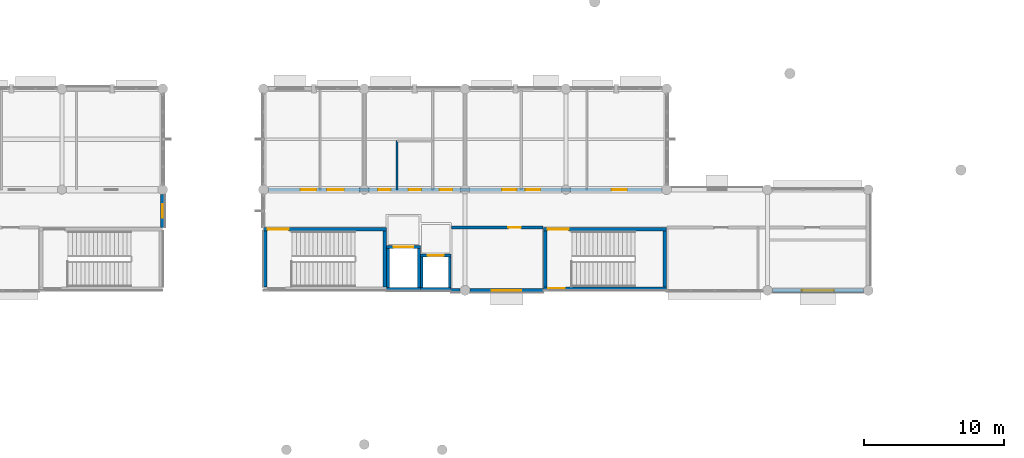
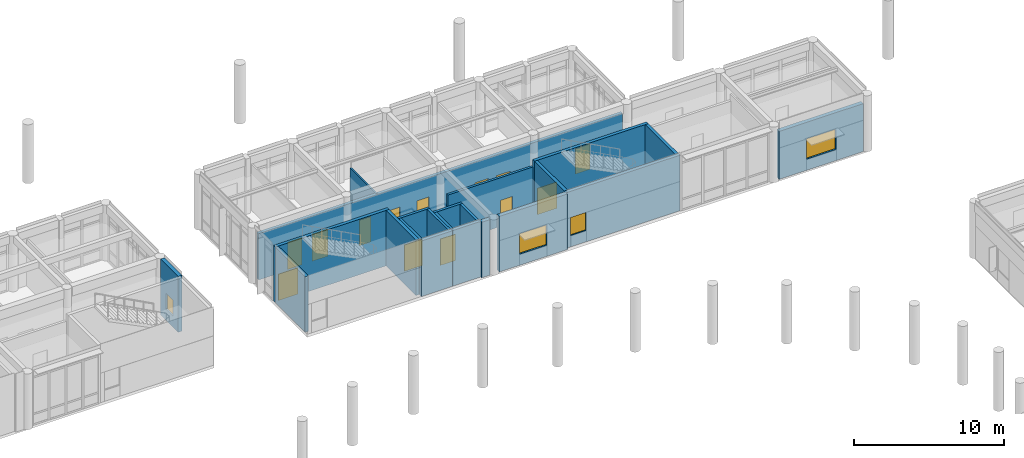
# One storey, part 51 of 92: 22 walls, 13 doors, 4 windows, 17 openings.
"""IFC4 building model written with IfcOpenShell, lengths in metres."""

from ifc_helpers import new_model, si_unit, direction, frame, frame_2d, origin, place, context, subcontext, project, spatial, rectangle, extrude, material, layer, layer_set, type_object, element, fill, save


model = new_model("IFC4")

# Units and contexts
model_context = context("Model", 3, precision=1e-05, world=origin(), true_north=direction((0.0, 1.0)))
body_context = subcontext(model_context, "Body", "Model", "MODEL_VIEW")
ifc_project = project(units=[si_unit("LENGTHUNIT", "METRE"), si_unit("AREAUNIT", "SQUARE_METRE"), si_unit("VOLUMEUNIT", "CUBIC_METRE"), si_unit("PLANEANGLEUNIT", "RADIAN"), si_unit("MASSUNIT", "GRAM", prefix="KILO")], contexts=[model_context])

# Site, building, storey
site_placement = place(None, origin())
site = spatial("IfcSite", under=ifc_project, at=site_placement, CompositionType="ELEMENT")
building_placement = place(site_placement, origin())
building = spatial("IfcBuilding", under=site, at=building_placement, Name="Namkhue Oval Health Centre", CompositionType="ELEMENT")
storey_placement = place(building_placement, frame((0.0, 0.0, 4.800048828125)))
storey = spatial("IfcBuildingStorey", under=building, at=storey_placement, Name="L01", CompositionType="ELEMENT", Elevation=4.800048828125)

# Wall
ifc_material_1 = material(Name="Autoclaved aerated concrete blockwork M7.5", Category="masonry")
ifc_layer_1 = layer(ifc_material_1, 0.2900390625)
ifc_layer_set_1 = layer_set([ifc_layer_1], Name="Autoclaved aerated concrete blockwork M7.5")
wall_type_1 = type_object("IfcWallType", Name="EXTERIOR ENVELOPE WALL 290", PredefinedType="STANDARD", material=ifc_layer_set_1)
wall_1_placement = place(storey_placement, frame((107.001953125, 90.0, 0.0), z_axis=(0.0, 0.0, 1.0), x_axis=(1.0, 0.0, 0.0)))
element("IfcWall", 1, at=wall_1_placement, inside=storey, type_object=wall_type_1, Name="Volume V3 L01 Exterior Envelope Wall 60", PredefinedType="STANDARD", context=body_context, shape_type="SweptSolid", body=[
    extrude(rectangle(XDim=0.653076171875, YDim=0.2900390625, at=frame_2d((0.32666015625, 0.0))), origin(), (0.0, 0.0, 1.0), 4.530029296875),
])

# Wall, opening, window
ifc_layer_2 = layer(ifc_material_1, 0.300048828125)
ifc_layer_set_2 = layer_set([ifc_layer_2], Name="Autoclaved aerated concrete blockwork M7.5")
wall_type_2 = type_object("IfcWallType", Name="EXTERIOR ENVELOPE WALL 300", PredefinedType="STANDARD", material=ifc_layer_set_2)
wall_2_placement = place(storey_placement, frame((86.39990234375, 94.501953125, 0.0), z_axis=(0.0, 0.0, 1.0), x_axis=(0.0, 1.0, 0.0)))
wall_2 = element("IfcWall", 2, at=wall_2_placement, inside=storey, type_object=wall_type_2, Name="Volume V2 L01 Exterior Envelope Wall 29", PredefinedType="STANDARD", context=body_context, shape_type="SweptSolid", body=[
    extrude(rectangle(XDim=2.35302734375, YDim=0.300048828125, at=frame_2d((1.176513671875, 0.0))), origin(), (0.0, 0.0, 1.0), 4.554931640625),
])
opening_1_placement = place(wall_2_placement, frame((0.701416015625, 0.0, 0.89990234375)))
opening_1 = element("IfcOpeningElement", 3, at=opening_1_placement, cuts=wall_2, Name="Opening WN-01", PredefinedType="OPENING", context=body_context, shape_type="SweptSolid", body=[
    extrude(rectangle(XDim=0.949951171875, YDim=1.300048828125, at=frame_2d((0.47509765625, 0.64990234375))), frame((0.0, 0.159912109375, 0.0), z_axis=(0.0, -1.0, 0.0), x_axis=(1.0, 0.0, 0.0)), (0.0, 0.0, 1.0), 0.320068359375),
])
ifc_material_2 = material(Name="Thermally broken low-E laminated double glazing", Category="glass")
window_type_1 = type_object("IfcWindowType", Name="EXTERIOR WINDOW 950X1300", PartitioningType="SINGLE_PANEL", PredefinedType="WINDOW", material=ifc_material_2)
window_1_placement = place(opening_1_placement, origin())
window_1 = element("IfcWindow", 4, at=window_1_placement, inside=storey, type_object=window_type_1, Name="Volume V2 L01 Exterior Window 19", OverallHeight=1.300048828125, OverallWidth=0.949951171875, PartitioningType="SINGLE_PANEL", PredefinedType="WINDOW", context=body_context, shape_type="SweptSolid", body=[
    extrude(rectangle(XDim=0.949951171875, YDim=1.300048828125, at=frame_2d((0.47509765625, 0.64990234375))), frame((0.0, 0.030029296875, 0.0), z_axis=(0.0, -1.0, 0.0), x_axis=(1.0, 0.0, 0.0)), (0.0, 0.0, 1.0), 0.06005859375),
])
fill(opening_1, window_1)

wall_3_placement = place(storey_placement, frame((108.344970703125, 90.0, 0.0), z_axis=(0.0, 0.0, 1.0), x_axis=(1.0, 0.0, 0.0)))
wall_3 = element("IfcWall", 5, at=wall_3_placement, inside=storey, type_object=wall_type_2, Name="Volume V3 L01 Exterior Envelope Wall 61", PredefinedType="STANDARD", context=body_context, shape_type="SweptSolid", body=[
    extrude(rectangle(XDim=5.2529296875, YDim=0.300048828125, at=frame_2d((2.62646484375, 0.0))), origin(), (0.0, 0.0, 1.0), 4.530029296875),
])
opening_2_placement = place(wall_3_placement, frame((1.576416015625, 0.0, 0.89990234375)))
opening_2 = element("IfcOpeningElement", 6, at=opening_2_placement, cuts=wall_3, Name="Opening WN-38", PredefinedType="OPENING", context=body_context, shape_type="SweptSolid", body=[
    extrude(rectangle(XDim=2.10009765625, YDim=1.659912109375, at=frame_2d((1.050048828125, 0.830078125))), frame((0.0, 0.159912109375, 0.0), z_axis=(0.0, -1.0, 0.0), x_axis=(1.0, 0.0, 0.0)), (0.0, 0.0, 1.0), 0.320068359375),
])
window_type_2 = type_object("IfcWindowType", Name="EXTERIOR WINDOW 2100X1660", PartitioningType="SINGLE_PANEL", PredefinedType="WINDOW", material=ifc_material_2)
window_2_placement = place(opening_2_placement, origin())
window_2 = element("IfcWindow", 7, at=window_2_placement, inside=storey, type_object=window_type_2, Name="Volume V3 L01 Exterior Window 38", OverallHeight=1.659912109375, OverallWidth=2.10009765625, PartitioningType="SINGLE_PANEL", PredefinedType="WINDOW", context=body_context, shape_type="SweptSolid", body=[
    extrude(rectangle(XDim=2.10009765625, YDim=1.659912109375, at=frame_2d((1.050048828125, 0.830078125))), frame((0.0, 0.030029296875, 0.0), z_axis=(0.0, -1.0, 0.0), x_axis=(1.0, 0.0, 0.0)), (0.0, 0.0, 1.0), 0.06005859375),
])
fill(opening_2, window_2)

ifc_layer_3 = layer(ifc_material_1, 0.31005859375)
ifc_layer_set_3 = layer_set([ifc_layer_3], Name="Autoclaved aerated concrete blockwork M7.5")
wall_type_3 = type_object("IfcWallType", Name="EXTERIOR ENVELOPE WALL 310", PredefinedType="STANDARD", material=ifc_layer_set_3)
wall_4_placement = place(storey_placement, frame((129.945068359375, 90.0, 0.0), z_axis=(0.0, 0.0, 1.0), x_axis=(1.0, 0.0, 0.0)))
wall_4 = element("IfcWall", 8, at=wall_4_placement, inside=storey, type_object=wall_type_3, Name="Volume V3 L01 Exterior Envelope Wall 62", PredefinedType="STANDARD", context=body_context, shape_type="SweptSolid", body=[
    extrude(rectangle(XDim=6.510009765625, YDim=0.31005859375, at=frame_2d((3.2548828125, 0.0))), origin(), (0.0, 0.0, 1.0), 3.911865234375),
])
opening_3_placement = place(wall_4_placement, frame((2.10498046875, 0.0, 0.89990234375)))
opening_3 = element("IfcOpeningElement", 9, at=opening_3_placement, cuts=wall_4, Name="Opening WN-39", PredefinedType="OPENING", context=body_context, shape_type="SweptSolid", body=[
    extrude(rectangle(XDim=2.300048828125, YDim=1.659912109375, at=frame_2d((1.14990234375, 0.830078125))), frame((0.0, 0.1650390625, 0.0), z_axis=(0.0, -1.0, 0.0), x_axis=(1.0, 0.0, 0.0)), (0.0, 0.0, 1.0), 0.330078125),
])
window_type_3 = type_object("IfcWindowType", Name="EXTERIOR WINDOW 2300X1660", PartitioningType="SINGLE_PANEL", PredefinedType="WINDOW", material=ifc_material_2)
window_3_placement = place(opening_3_placement, origin())
window_3 = element("IfcWindow", 10, at=window_3_placement, inside=storey, type_object=window_type_3, Name="Volume V3 L01 Exterior Window 39", OverallHeight=1.659912109375, OverallWidth=2.300048828125, PartitioningType="SINGLE_PANEL", PredefinedType="WINDOW", context=body_context, shape_type="SweptSolid", body=[
    extrude(rectangle(XDim=2.300048828125, YDim=1.659912109375, at=frame_2d((1.14990234375, 0.830078125))), frame((0.0, 0.030029296875, 0.0), z_axis=(0.0, -1.0, 0.0), x_axis=(1.0, 0.0, 0.0)), (0.0, 0.0, 1.0), 0.06005859375),
])
fill(opening_3, window_3)

# Wall, opening, door
ifc_material_3 = material(Name="Gypsum plasterboard acoustic partition", Category="gypsum")
ifc_layer_4 = layer(ifc_material_3, 0.18505859375)
ifc_layer_set_4 = layer_set([ifc_layer_4], Name="Gypsum plasterboard acoustic partition")
wall_type_4 = type_object("IfcWallType", Name="FIRE PARTITION WALL 185", PredefinedType="PARTITIONING", material=ifc_layer_set_4)
wall_5_placement = place(storey_placement, frame((107.02001953125, 94.5, 0.0), z_axis=(0.0, 0.0, 1.0), x_axis=(1.0, 0.0, 0.0)))
wall_5 = element("IfcWall", 11, at=wall_5_placement, inside=storey, type_object=wall_type_4, Name="Volume V3 L01 Clinical Partition Wall 121", PredefinedType="PARTITIONING", context=body_context, shape_type="SweptSolid", body=[
    extrude(rectangle(XDim=6.56005859375, YDim=0.18505859375, at=frame_2d((3.280029296875, 0.0))), origin(), (0.0, 0.0, 1.0), 3.97998046875),
])
opening_4_placement = place(wall_5_placement, frame((4.070068359375, 0.0, 0.0)))
opening_4 = element("IfcOpeningElement", 12, at=opening_4_placement, cuts=wall_5, Name="Opening CD-07", PredefinedType="OPENING", context=body_context, shape_type="SweptSolid", body=[
    extrude(rectangle(XDim=0.89990234375, YDim=2.1298828125, at=frame_2d((0.449951171875, 1.06494140625))), frame((0.0, 0.1025390625, 0.0), z_axis=(0.0, -1.0, 0.0), x_axis=(1.0, 0.0, 0.0)), (0.0, 0.0, 1.0), 0.205078125),
])
ifc_material_4 = material(Name="High-pressure laminate timber clinical door", Category="wood")
door_type_1 = type_object("IfcDoorType", Name="CLINICAL DOOR 900X2130", OperationType="NOTDEFINED", PredefinedType="DOOR", material=ifc_material_4)
door_1_placement = place(opening_4_placement, frame((0.89990234375, 0.0, 0.0), z_axis=(0.0, 0.0, 1.0), x_axis=(-1.0, 0.0, 0.0)))
door_1 = element("IfcDoor", 13, at=door_1_placement, inside=storey, type_object=door_type_1, Name="Volume V3 L01 Colposcopy Procedure Room Door 101", OperationType="SINGLE_SWING_LEFT", OverallHeight=2.1298828125, OverallWidth=0.89990234375, PredefinedType="DOOR", context=body_context, shape_type="SweptSolid", body=[
    extrude(rectangle(XDim=0.89990234375, YDim=2.1298828125, at=frame_2d((0.449951171875, 1.06494140625))), frame((0.0, 0.02490234375, 0.0), z_axis=(0.0, -1.0, 0.0), x_axis=(1.0, 0.0, 0.0)), (0.0, 0.0, 1.0), 0.050048828125),
])
fill(opening_4, door_1)

# Wall, openings, doors
ifc_material_5 = material(Name="Lead-lined barium plasterboard radiation partition", Category="gypsum")
ifc_layer_5 = layer(ifc_material_5, 0.235107421875)
ifc_layer_set_5 = layer_set([ifc_layer_5], Name="Lead-lined barium plasterboard radiation partition")
wall_type_5 = type_object("IfcWallType", Name="FIRE PARTITION WALL 235", PredefinedType="PARTITIONING", material=ifc_layer_set_5)
wall_6_placement = place(storey_placement, frame((93.949951171875, 97.199951171875, 0.0), z_axis=(0.0, 0.0, 1.0), x_axis=(1.0, 0.0, 0.0)))
wall_6 = element("IfcWall", 14, at=wall_6_placement, inside=storey, type_object=wall_type_5, Name="Volume V3 L01 Clinical Partition Wall 112", PredefinedType="PARTITIONING", context=body_context, shape_type="SweptSolid", body=[
    extrude(rectangle(XDim=28.10009765625, YDim=0.235107421875, at=frame_2d((14.050048828125, 0.0))), origin(), (0.0, 0.0, 1.0), 3.780029296875),
])
opening_5_placement = place(wall_6_placement, frame((2.300048828125, 0.0, 0.0)))
opening_5 = element("IfcOpeningElement", 15, at=opening_5_placement, cuts=wall_6, Name="Opening CD-21", PredefinedType="OPENING", context=body_context, shape_type="SweptSolid", body=[
    extrude(rectangle(XDim=1.1201171875, YDim=2.22998046875, at=frame_2d((0.56005859375, 1.114990234375))), frame((0.0, 0.12744140625, 0.0), z_axis=(0.0, -1.0, 0.0), x_axis=(1.0, 0.0, 0.0)), (0.0, 0.0, 1.0), 0.255126953125),
])
opening_6_placement = place(wall_6_placement, frame((4.18994140625, 0.0, 0.0)))
opening_6 = element("IfcOpeningElement", 16, at=opening_6_placement, cuts=wall_6, Name="Opening CD-22", PredefinedType="OPENING", context=body_context, shape_type="SweptSolid", body=[
    extrude(rectangle(XDim=1.199951171875, YDim=2.22998046875, at=frame_2d((0.60009765625, 1.114990234375))), frame((0.0, 0.12744140625, 0.0), z_axis=(0.0, -1.0, 0.0), x_axis=(1.0, 0.0, 0.0)), (0.0, 0.0, 1.0), 0.255126953125),
])
opening_7_placement = place(wall_6_placement, frame((7.840087890625, 0.0, 0.0)))
opening_7 = element("IfcOpeningElement", 17, at=opening_7_placement, cuts=wall_6, Name="Opening CD-01", PredefinedType="OPENING", context=body_context, shape_type="SweptSolid", body=[
    extrude(rectangle(XDim=0.89990234375, YDim=2.080078125, at=frame_2d((0.449951171875, 1.0400390625))), frame((0.0, 0.12744140625, 0.0), z_axis=(0.0, -1.0, 0.0), x_axis=(1.0, 0.0, 0.0)), (0.0, 0.0, 1.0), 0.255126953125),
])
opening_8_placement = place(wall_6_placement, frame((10.010009765625, 0.0, 0.0)))
opening_8 = element("IfcOpeningElement", 18, at=opening_8_placement, cuts=wall_6, Name="Opening CD-07", PredefinedType="OPENING", context=body_context, shape_type="SweptSolid", body=[
    extrude(rectangle(XDim=0.89990234375, YDim=2.1298828125, at=frame_2d((0.449951171875, 1.06494140625))), frame((0.0, 0.12744140625, 0.0), z_axis=(0.0, -1.0, 0.0), x_axis=(1.0, 0.0, 0.0)), (0.0, 0.0, 1.0), 0.255126953125),
])
opening_9_placement = place(wall_6_placement, frame((12.22998046875, 0.0, 0.0)))
opening_9 = element("IfcOpeningElement", 19, at=opening_9_placement, cuts=wall_6, Name="Opening CD-13", PredefinedType="OPENING", context=body_context, shape_type="SweptSolid", body=[
    extrude(rectangle(XDim=0.919921875, YDim=2.179931640625, at=frame_2d((0.4599609375, 1.08984375))), frame((0.0, 0.12744140625, 0.0), z_axis=(0.0, -1.0, 0.0), x_axis=(1.0, 0.0, 0.0)), (0.0, 0.0, 1.0), 0.255126953125),
])
opening_10_placement = place(wall_6_placement, frame((16.705078125, 0.0, 0.0)))
opening_10 = element("IfcOpeningElement", 20, at=opening_10_placement, cuts=wall_6, Name="Opening CD-04", PredefinedType="OPENING", context=body_context, shape_type="SweptSolid", body=[
    extrude(rectangle(XDim=1.02001953125, YDim=2.080078125, at=frame_2d((0.510009765625, 1.0400390625))), frame((0.0, 0.12744140625, 0.0), z_axis=(0.0, -1.0, 0.0), x_axis=(1.0, 0.0, 0.0)), (0.0, 0.0, 1.0), 0.255126953125),
])
opening_11_placement = place(wall_6_placement, frame((18.364990234375, 0.0, 0.0)))
opening_11 = element("IfcOpeningElement", 21, at=opening_11_placement, cuts=wall_6, Name="Opening CD-05", PredefinedType="OPENING", context=body_context, shape_type="SweptSolid", body=[
    extrude(rectangle(XDim=1.06005859375, YDim=2.080078125, at=frame_2d((0.530029296875, 1.0400390625))), frame((0.0, 0.12744140625, 0.0), z_axis=(0.0, -1.0, 0.0), x_axis=(1.0, 0.0, 0.0)), (0.0, 0.0, 1.0), 0.255126953125),
])
opening_12_placement = place(wall_6_placement, frame((24.512939453125, 0.0, 0.0)))
opening_12 = element("IfcOpeningElement", 22, at=opening_12_placement, cuts=wall_6, Name="Opening CD-06", PredefinedType="OPENING", context=body_context, shape_type="SweptSolid", body=[
    extrude(rectangle(XDim=1.10009765625, YDim=2.080078125, at=frame_2d((0.550048828125, 1.0400390625))), frame((0.0, 0.12744140625, 0.0), z_axis=(0.0, -1.0, 0.0), x_axis=(1.0, 0.0, 0.0)), (0.0, 0.0, 1.0), 0.255126953125),
])
door_type_2 = type_object("IfcDoorType", Name="CLINICAL DOOR 1020X2080", OperationType="NOTDEFINED", PredefinedType="DOOR", material=ifc_material_4)
door_2_placement = place(opening_10_placement, origin())
door_2 = element("IfcDoor", 23, at=door_2_placement, inside=storey, type_object=door_type_2, Name="Volume V3 L01 Prenatal Ultrasound Clinic Door 98", OperationType="SINGLE_SWING_RIGHT", OverallHeight=2.080078125, OverallWidth=1.02001953125, PredefinedType="DOOR", context=body_context, shape_type="SweptSolid", body=[
    extrude(rectangle(XDim=1.02001953125, YDim=2.080078125, at=frame_2d((0.510009765625, 1.0400390625))), frame((0.0, 0.02490234375, 0.0), z_axis=(0.0, -1.0, 0.0), x_axis=(1.0, 0.0, 0.0)), (0.0, 0.0, 1.0), 0.050048828125),
])
fill(opening_10, door_2)
door_type_3 = type_object("IfcDoorType", Name="CLINICAL DOOR 1060X2080", OperationType="NOTDEFINED", PredefinedType="DOOR", material=ifc_material_4)
door_3_placement = place(opening_11_placement, origin())
door_3 = element("IfcDoor", 24, at=door_3_placement, inside=storey, type_object=door_type_3, Name="Volume V3 L01 ENT Minor Procedure Room Door 99", OperationType="SINGLE_SWING_LEFT", OverallHeight=2.080078125, OverallWidth=1.06005859375, PredefinedType="DOOR", context=body_context, shape_type="SweptSolid", body=[
    extrude(rectangle(XDim=1.06005859375, YDim=2.080078125, at=frame_2d((0.530029296875, 1.0400390625))), frame((0.0, 0.02490234375, 0.0), z_axis=(0.0, -1.0, 0.0), x_axis=(1.0, 0.0, 0.0)), (0.0, 0.0, 1.0), 0.050048828125),
])
fill(opening_11, door_3)
door_type_4 = type_object("IfcDoorType", Name="CLINICAL DOOR 1100X2080", OperationType="NOTDEFINED", PredefinedType="DOOR", material=ifc_material_4)
door_4_placement = place(opening_12_placement, origin())
door_4 = element("IfcDoor", 25, at=door_4_placement, inside=storey, type_object=door_type_4, Name="Volume V3 L01 Neurology Consultation Room Door 100", OperationType="SINGLE_SWING_RIGHT", OverallHeight=2.080078125, OverallWidth=1.10009765625, PredefinedType="DOOR", context=body_context, shape_type="SweptSolid", body=[
    extrude(rectangle(XDim=1.10009765625, YDim=2.080078125, at=frame_2d((0.550048828125, 1.0400390625))), frame((0.0, 0.02490234375, 0.0), z_axis=(0.0, -1.0, 0.0), x_axis=(1.0, 0.0, 0.0)), (0.0, 0.0, 1.0), 0.050048828125),
])
fill(opening_12, door_4)
door_type_5 = type_object("IfcDoorType", Name="CLINICAL DOOR 1120X2230", OperationType="NOTDEFINED", PredefinedType="DOOR", material=ifc_material_4)
door_5_placement = place(opening_5_placement, origin())
door_5 = element("IfcDoor", 26, at=door_5_placement, inside=storey, type_object=door_type_5, Name="Volume V3 L01 OB GYN Examination Suite Door 93", OperationType="SINGLE_SWING_LEFT", OverallHeight=2.22998046875, OverallWidth=1.1201171875, PredefinedType="DOOR", context=body_context, shape_type="SweptSolid", body=[
    extrude(rectangle(XDim=1.1201171875, YDim=2.22998046875, at=frame_2d((0.56005859375, 1.114990234375))), frame((0.0, 0.02490234375, 0.0), z_axis=(0.0, -1.0, 0.0), x_axis=(1.0, 0.0, 0.0)), (0.0, 0.0, 1.0), 0.050048828125),
])
fill(opening_5, door_5)
door_type_6 = type_object("IfcDoorType", Name="CLINICAL DOOR 1200X2230", OperationType="NOTDEFINED", PredefinedType="DOOR", material=ifc_material_4)
door_6_placement = place(opening_6_placement, origin())
door_6 = element("IfcDoor", 27, at=door_6_placement, inside=storey, type_object=door_type_6, Name="Volume V3 L01 Sterile Instrument Store Door 94", OperationType="SINGLE_SWING_LEFT", OverallHeight=2.22998046875, OverallWidth=1.199951171875, PredefinedType="DOOR", context=body_context, shape_type="SweptSolid", body=[
    extrude(rectangle(XDim=1.199951171875, YDim=2.22998046875, at=frame_2d((0.60009765625, 1.114990234375))), frame((0.0, 0.02490234375, 0.0), z_axis=(0.0, -1.0, 0.0), x_axis=(1.0, 0.0, 0.0)), (0.0, 0.0, 1.0), 0.050048828125),
])
fill(opening_6, door_6)
door_type_7 = type_object("IfcDoorType", Name="CLINICAL DOOR 900X2080", OperationType="NOTDEFINED", PredefinedType="DOOR", material=ifc_material_4)
door_7_placement = place(opening_7_placement, origin())
door_7 = element("IfcDoor", 28, at=door_7_placement, inside=storey, type_object=door_type_7, Name="Volume V3 L01 Baby Care and Lactation Room Door 95", OperationType="SINGLE_SWING_RIGHT", OverallHeight=2.080078125, OverallWidth=0.89990234375, PredefinedType="DOOR", context=body_context, shape_type="SweptSolid", body=[
    extrude(rectangle(XDim=0.89990234375, YDim=2.080078125, at=frame_2d((0.449951171875, 1.0400390625))), frame((0.0, 0.02490234375, 0.0), z_axis=(0.0, -1.0, 0.0), x_axis=(1.0, 0.0, 0.0)), (0.0, 0.0, 1.0), 0.050048828125),
])
fill(opening_7, door_7)
door_8_placement = place(opening_8_placement, origin())
door_8 = element("IfcDoor", 29, at=door_8_placement, inside=storey, type_object=door_type_1, Name="Volume V3 L01 Accessible WC Door 96", OperationType="SINGLE_SWING_RIGHT", OverallHeight=2.1298828125, OverallWidth=0.89990234375, PredefinedType="DOOR", context=body_context, shape_type="SweptSolid", body=[
    extrude(rectangle(XDim=0.89990234375, YDim=2.1298828125, at=frame_2d((0.449951171875, 1.06494140625))), frame((0.0, 0.02490234375, 0.0), z_axis=(0.0, -1.0, 0.0), x_axis=(1.0, 0.0, 0.0)), (0.0, 0.0, 1.0), 0.050048828125),
])
fill(opening_8, door_8)
door_type_8 = type_object("IfcDoorType", Name="CLINICAL DOOR 920X2180", OperationType="NOTDEFINED", PredefinedType="DOOR", material=ifc_material_4)
door_9_placement = place(opening_9_placement, origin())
door_9 = element("IfcDoor", 30, at=door_9_placement, inside=storey, type_object=door_type_8, Name="Volume V3 L01 Patient Washroom Door 97", OperationType="SINGLE_SWING_LEFT", OverallHeight=2.179931640625, OverallWidth=0.919921875, PredefinedType="DOOR", context=body_context, shape_type="SweptSolid", body=[
    extrude(rectangle(XDim=0.919921875, YDim=2.179931640625, at=frame_2d((0.4599609375, 1.08984375))), frame((0.0, 0.02490234375, 0.0), z_axis=(0.0, -1.0, 0.0), x_axis=(1.0, 0.0, 0.0)), (0.0, 0.0, 1.0), 0.050048828125),
])
fill(opening_9, door_9)

# Walls
ifc_layer_6 = layer(ifc_material_3, 0.1201171875)
ifc_layer_set_6 = layer_set([ifc_layer_6], Name="Gypsum plasterboard acoustic partition")
wall_type_6 = type_object("IfcWallType", Name="INTERIOR PARTITION WALL 120", PredefinedType="PARTITIONING", material=ifc_layer_set_6)
wall_7_placement = place(storey_placement, frame((103.139892578125, 97.199951171875, 0.0), z_axis=(0.0, 0.0, 1.0), x_axis=(0.0, 1.0, 0.0)))
element("IfcWall", 31, at=wall_7_placement, inside=storey, type_object=wall_type_6, Name="Volume V3 L01 Clinical Partition Wall 115", PredefinedType="PARTITIONING", context=body_context, shape_type="SweptSolid", body=[
    extrude(rectangle(XDim=3.47998046875, YDim=0.1201171875, at=frame_2d((1.739990234375, 0.0))), origin(), (0.0, 0.0, 1.0), 3.780029296875),
])
ifc_material_6 = material(Name="Reinforced concrete C35/45 (TCVN B40)", Category="concrete")
ifc_layer_7 = layer(ifc_material_6, 0.25)
ifc_layer_set_7 = layer_set([ifc_layer_7], Name="Reinforced concrete C35/45 (TCVN B40)")
wall_type_7 = type_object("IfcWallType", Name="SHEAR CORE WALL EXT 250", PredefinedType="SHEAR", material=ifc_layer_set_7)
wall_8_placement = place(storey_placement, frame((93.72509765625, 94.25, 0.0), z_axis=(0.0, 0.0, 1.0), x_axis=(0.0, -1.0, 0.0)))
element("IfcWall", 32, at=wall_8_placement, inside=storey, type_object=wall_type_7, Name="Core SC-05 L01 Shear Wall W", PredefinedType="SHEAR", context=body_context, shape_type="SweptSolid", body=[
    extrude(rectangle(XDim=4.0, YDim=0.25, at=frame_2d((2.0, 0.0))), origin(), (0.0, 0.0, 1.0), 4.530029296875),
])

# Wall, opening, window
wall_9_placement = place(storey_placement, frame((113.60009765625, 90.125, 0.0), z_axis=(0.0, 0.0, 1.0), x_axis=(1.0, 0.0, 0.0)))
wall_9 = element("IfcWall", 33, at=wall_9_placement, inside=storey, type_object=wall_type_7, Name="Core SC-06 L01 Shear Wall S", PredefinedType="SHEAR", context=body_context, shape_type="SweptSolid", body=[
    extrude(rectangle(XDim=8.7998046875, YDim=0.25, at=frame_2d((4.39990234375, 0.0))), origin(), (0.0, 0.0, 1.0), 4.530029296875),
])
opening_13_placement = place(wall_9_placement, frame((0.35009765625, 0.0, 0.919921875)))
opening_13 = element("IfcOpeningElement", 34, at=opening_13_placement, cuts=wall_9, Name="Opening SWN-01", PredefinedType="OPENING", context=body_context, shape_type="SweptSolid", body=[
    extrude(rectangle(XDim=1.179931640625, YDim=1.47998046875, at=frame_2d((0.58984375, 0.739990234375))), frame((0.0, 0.135009765625, 0.0), z_axis=(0.0, -1.0, 0.0), x_axis=(1.0, 0.0, 0.0)), (0.0, 0.0, 1.0), 0.27001953125),
])
ifc_material_7 = material(Name="Fire-rated insulated safety double glazing", Category="glass")
window_type_4 = type_object("IfcWindowType", Name="EXTERIOR WINDOW STAIRWELL 1180X1480", PartitioningType="SINGLE_PANEL", PredefinedType="WINDOW", material=ifc_material_7)
window_4_placement = place(opening_13_placement, origin())
window_4 = element("IfcWindow", 35, at=window_4_placement, inside=storey, type_object=window_type_4, Name="Stair ST-06 L01 Stairwell Daylight Window", OverallHeight=1.47998046875, OverallWidth=1.179931640625, PartitioningType="SINGLE_PANEL", PredefinedType="WINDOW", context=body_context, shape_type="SweptSolid", body=[
    extrude(rectangle(XDim=1.179931640625, YDim=1.47998046875, at=frame_2d((0.58984375, 0.739990234375))), frame((0.0, 0.030029296875, 0.0), z_axis=(0.0, -1.0, 0.0), x_axis=(1.0, 0.0, 0.0)), (0.0, 0.0, 1.0), 0.06005859375),
])
fill(opening_13, window_4)

# Walls
wall_10_placement = place(storey_placement, frame((102.39990234375, 90.10009765625, 0.0), z_axis=(0.0, 0.0, 1.0), x_axis=(1.0, 0.0, 0.0)))
element("IfcWall", 36, at=wall_10_placement, inside=storey, type_object=wall_type_7, Name="Lift LF-03 L01 Shaft Wall S", PredefinedType="SHEAR", context=body_context, shape_type="SweptSolid", body=[
    extrude(rectangle(XDim=2.400146484375, YDim=0.25, at=frame_2d((1.2001953125, 0.0))), origin(), (0.0, 0.0, 1.0), 4.530029296875),
])
wall_11_placement = place(storey_placement, frame((104.800048828125, 90.10009765625, 0.0), z_axis=(0.0, 0.0, 1.0), x_axis=(1.0, 0.0, 0.0)))
element("IfcWall", 37, at=wall_11_placement, inside=storey, type_object=wall_type_7, Name="Lift LF-04 L01 Shaft Wall S", PredefinedType="SHEAR", context=body_context, shape_type="SweptSolid", body=[
    extrude(rectangle(XDim=2.199951171875, YDim=0.25, at=frame_2d((1.10009765625, 0.0))), origin(), (0.0, 0.0, 1.0), 4.530029296875),
])
ifc_layer_8 = layer(ifc_material_6, 0.199951171875)
ifc_layer_set_8 = layer_set([ifc_layer_8], Name="Reinforced concrete C35/45 (TCVN B40)")
wall_type_8 = type_object("IfcWallType", Name="SHEAR CORE WALL INT 200", PredefinedType="SHEAR", material=ifc_layer_set_8)
wall_12_placement = place(storey_placement, frame((104.699951171875, 90.199951171875, 0.0), z_axis=(0.0, 0.0, 1.0), x_axis=(0.0, 1.0, 0.0)))
element("IfcWall", 38, at=wall_12_placement, inside=storey, type_object=wall_type_8, Name="Lift LF-03 L01 Shaft Wall E", PredefinedType="SHEAR", context=body_context, shape_type="SweptSolid", body=[
    extrude(rectangle(XDim=2.800048828125, YDim=0.199951171875, at=frame_2d((1.39990234375, 0.0))), origin(), (0.0, 0.0, 1.0), 4.530029296875),
])

# Wall, opening, door
wall_13_placement = place(storey_placement, frame((104.800048828125, 93.10009765625, 0.0), z_axis=(0.0, 0.0, 1.0), x_axis=(-1.0, 0.0, 0.0)))
wall_13 = element("IfcWall", 39, at=wall_13_placement, inside=storey, type_object=wall_type_8, Name="Lift LF-03 L01 Shaft Wall N", PredefinedType="SHEAR", context=body_context, shape_type="SweptSolid", body=[
    extrude(rectangle(XDim=2.400146484375, YDim=0.199951171875, at=frame_2d((1.2001953125, 0.0))), origin(), (0.0, 0.0, 1.0), 4.530029296875),
])
opening_14_placement = place(wall_13_placement, frame((0.5, 0.0, 0.0)))
opening_14 = element("IfcOpeningElement", 40, at=opening_14_placement, cuts=wall_13, Name="Opening LD-01", PredefinedType="OPENING", context=body_context, shape_type="SweptSolid", body=[
    extrude(rectangle(XDim=1.39990234375, YDim=2.14990234375, at=frame_2d((0.699951171875, 1.074951171875))), frame((0.0, 0.10986328125, 0.0), z_axis=(0.0, -1.0, 0.0), x_axis=(1.0, 0.0, 0.0)), (0.0, 0.0, 1.0), 0.219970703125),
])
ifc_material_8 = material(Name="Powder-coated steel fire door assembly", Category="steel")
door_type_9 = type_object("IfcDoorType", Name="LIFT LANDING DOOR STRETCHER 1400X2150", OperationType="DOUBLE_DOOR_SLIDING", PredefinedType="DOOR", material=ifc_material_8)
door_10_placement = place(opening_14_placement, frame((1.39990234375, 0.0, 0.0), z_axis=(0.0, 0.0, 1.0), x_axis=(-1.0, 0.0, 0.0)))
door_10 = element("IfcDoor", 41, at=door_10_placement, inside=storey, type_object=door_type_9, Name="Lift LF-03 L01 Sliding Landing Door", OperationType="DOUBLE_DOOR_SLIDING", OverallHeight=2.14990234375, OverallWidth=1.39990234375, PredefinedType="DOOR", context=body_context, shape_type="SweptSolid", body=[
    extrude(rectangle(XDim=1.39990234375, YDim=2.14990234375, at=frame_2d((0.699951171875, 1.074951171875))), frame((0.0, 0.02490234375, 0.0), z_axis=(0.0, -1.0, 0.0), x_axis=(1.0, 0.0, 0.0)), (0.0, 0.0, 1.0), 0.050048828125),
])
fill(opening_14, door_10)

# Walls
wall_14_placement = place(storey_placement, frame((102.5, 93.0, 0.0), z_axis=(0.0, 0.0, 1.0), x_axis=(0.0, -1.0, 0.0)))
element("IfcWall", 42, at=wall_14_placement, inside=storey, type_object=wall_type_8, Name="Lift LF-03 L01 Shaft Wall W", PredefinedType="SHEAR", context=body_context, shape_type="SweptSolid", body=[
    extrude(rectangle(XDim=2.800048828125, YDim=0.199951171875, at=frame_2d((1.39990234375, 0.0))), origin(), (0.0, 0.0, 1.0), 4.530029296875),
])
wall_15_placement = place(storey_placement, frame((106.89990234375, 90.199951171875, 0.0), z_axis=(0.0, 0.0, 1.0), x_axis=(0.0, 1.0, 0.0)))
element("IfcWall", 43, at=wall_15_placement, inside=storey, type_object=wall_type_8, Name="Lift LF-04 L01 Shaft Wall E", PredefinedType="SHEAR", context=body_context, shape_type="SweptSolid", body=[
    extrude(rectangle(XDim=2.199951171875, YDim=0.199951171875, at=frame_2d((1.10009765625, 0.0))), origin(), (0.0, 0.0, 1.0), 4.530029296875),
])

# Wall, opening, door
wall_16_placement = place(storey_placement, frame((107.0, 92.5, 0.0), z_axis=(0.0, 0.0, 1.0), x_axis=(-1.0, 0.0, 0.0)))
wall_16 = element("IfcWall", 44, at=wall_16_placement, inside=storey, type_object=wall_type_8, Name="Lift LF-04 L01 Shaft Wall N", PredefinedType="SHEAR", context=body_context, shape_type="SweptSolid", body=[
    extrude(rectangle(XDim=2.199951171875, YDim=0.199951171875, at=frame_2d((1.10009765625, 0.0))), origin(), (0.0, 0.0, 1.0), 4.530029296875),
])
opening_15_placement = place(wall_16_placement, frame((0.52490234375, 0.0, 0.0)))
opening_15 = element("IfcOpeningElement", 45, at=opening_15_placement, cuts=wall_16, Name="Opening LD-02", PredefinedType="OPENING", context=body_context, shape_type="SweptSolid", body=[
    extrude(rectangle(XDim=1.14990234375, YDim=2.14990234375, at=frame_2d((0.574951171875, 1.074951171875))), frame((0.0, 0.10986328125, 0.0), z_axis=(0.0, -1.0, 0.0), x_axis=(1.0, 0.0, 0.0)), (0.0, 0.0, 1.0), 0.219970703125),
])
door_type_10 = type_object("IfcDoorType", Name="LIFT LANDING DOOR PASSENGER 1150X2150", OperationType="DOUBLE_DOOR_SLIDING", PredefinedType="DOOR", material=ifc_material_8)
door_11_placement = place(opening_15_placement, frame((1.14990234375, 0.0, 0.0), z_axis=(0.0, 0.0, 1.0), x_axis=(-1.0, 0.0, 0.0)))
door_11 = element("IfcDoor", 46, at=door_11_placement, inside=storey, type_object=door_type_10, Name="Lift LF-04 L01 Sliding Landing Door", OperationType="DOUBLE_DOOR_SLIDING", OverallHeight=2.14990234375, OverallWidth=1.14990234375, PredefinedType="DOOR", context=body_context, shape_type="SweptSolid", body=[
    extrude(rectangle(XDim=1.14990234375, YDim=2.14990234375, at=frame_2d((0.574951171875, 1.074951171875))), frame((0.0, 0.02490234375, 0.0), z_axis=(0.0, -1.0, 0.0), x_axis=(1.0, 0.0, 0.0)), (0.0, 0.0, 1.0), 0.050048828125),
])
fill(opening_15, door_11)

# Walls
wall_17_placement = place(storey_placement, frame((104.89990234375, 92.39990234375, 0.0), z_axis=(0.0, 0.0, 1.0), x_axis=(0.0, -1.0, 0.0)))
element("IfcWall", 47, at=wall_17_placement, inside=storey, type_object=wall_type_8, Name="Lift LF-04 L01 Shaft Wall W", PredefinedType="SHEAR", context=body_context, shape_type="SweptSolid", body=[
    extrude(rectangle(XDim=2.199951171875, YDim=0.199951171875, at=frame_2d((1.10009765625, 0.0))), origin(), (0.0, 0.0, 1.0), 4.530029296875),
])
ifc_layer_9 = layer(ifc_material_6, 0.25)
ifc_layer_set_9 = layer_set([ifc_layer_9], Name="Reinforced concrete C35/45 (TCVN B40)")
wall_type_9 = type_object("IfcWallType", Name="SHEAR CORE WALL INT 250", PredefinedType="SHEAR", material=ifc_layer_set_9)
wall_18_placement = place(storey_placement, frame((102.27490234375, 90.25, 0.0), z_axis=(0.0, 0.0, 1.0), x_axis=(0.0, 1.0, 0.0)))
element("IfcWall", 48, at=wall_18_placement, inside=storey, type_object=wall_type_9, Name="Core SC-05 L01 Shear Wall E", PredefinedType="SHEAR", context=body_context, shape_type="SweptSolid", body=[
    extrude(rectangle(XDim=4.0, YDim=0.25, at=frame_2d((2.0, 0.0))), origin(), (0.0, 0.0, 1.0), 4.530029296875),
])

# Wall, opening, door
wall_19_placement = place(storey_placement, frame((102.39990234375, 94.375, 0.0), z_axis=(0.0, 0.0, 1.0), x_axis=(-1.0, 0.0, 0.0)))
wall_19 = element("IfcWall", 49, at=wall_19_placement, inside=storey, type_object=wall_type_9, Name="Core SC-05 L01 Shear Wall N", PredefinedType="SHEAR", context=body_context, shape_type="SweptSolid", body=[
    extrude(rectangle(XDim=8.7998046875, YDim=0.25, at=frame_2d((4.39990234375, 0.0))), origin(), (0.0, 0.0, 1.0), 4.530029296875),
])
opening_16_placement = place(wall_19_placement, frame((7.0, 0.0, 0.0)))
opening_16 = element("IfcOpeningElement", 50, at=opening_16_placement, cuts=wall_19, Name="Opening SD-I1", PredefinedType="OPENING", context=body_context, shape_type="SweptSolid", body=[
    extrude(rectangle(XDim=1.5, YDim=2.14990234375, at=frame_2d((0.75, 1.074951171875))), frame((0.0, 0.135009765625, 0.0), z_axis=(0.0, -1.0, 0.0), x_axis=(1.0, 0.0, 0.0)), (0.0, 0.0, 1.0), 0.27001953125),
])
door_type_11 = type_object("IfcDoorType", Name="CLINICAL DOOR STAIR CORE 1500X2150", OperationType="DOUBLE_DOOR_SINGLE_SWING", PredefinedType="DOOR", material=ifc_material_8)
door_12_placement = place(opening_16_placement, origin())
door_12 = element("IfcDoor", 51, at=door_12_placement, inside=storey, type_object=door_type_11, Name="Stair ST-05 L01 Stair Enclosure Fire Door", OperationType="DOUBLE_DOOR_SINGLE_SWING", OverallHeight=2.14990234375, OverallWidth=1.5, PredefinedType="DOOR", context=body_context, shape_type="SweptSolid", body=[
    extrude(rectangle(XDim=1.5, YDim=2.14990234375, at=frame_2d((0.75, 1.074951171875))), frame((0.0, 0.02490234375, 0.0), z_axis=(0.0, -1.0, 0.0), x_axis=(1.0, 0.0, 0.0)), (0.0, 0.0, 1.0), 0.050048828125),
])
fill(opening_16, door_12)

# Wall
wall_20_placement = place(storey_placement, frame((122.27490234375, 90.25, 0.0), z_axis=(0.0, 0.0, 1.0), x_axis=(0.0, 1.0, 0.0)))
element("IfcWall", 52, at=wall_20_placement, inside=storey, type_object=wall_type_9, Name="Core SC-06 L01 Shear Wall E", PredefinedType="SHEAR", context=body_context, shape_type="SweptSolid", body=[
    extrude(rectangle(XDim=4.0, YDim=0.25, at=frame_2d((2.0, 0.0))), origin(), (0.0, 0.0, 1.0), 4.530029296875),
])

# Wall, opening, door
wall_21_placement = place(storey_placement, frame((122.39990234375, 94.375, 0.0), z_axis=(0.0, 0.0, 1.0), x_axis=(-1.0, 0.0, 0.0)))
wall_21 = element("IfcWall", 53, at=wall_21_placement, inside=storey, type_object=wall_type_9, Name="Core SC-06 L01 Shear Wall N", PredefinedType="SHEAR", context=body_context, shape_type="SweptSolid", body=[
    extrude(rectangle(XDim=8.7998046875, YDim=0.25, at=frame_2d((4.39990234375, 0.0))), origin(), (0.0, 0.0, 1.0), 4.530029296875),
])
opening_17_placement = place(wall_21_placement, frame((7.0, 0.0, 0.0)))
opening_17 = element("IfcOpeningElement", 54, at=opening_17_placement, cuts=wall_21, Name="Opening SD-I1", PredefinedType="OPENING", context=body_context, shape_type="SweptSolid", body=[
    extrude(rectangle(XDim=1.5, YDim=2.14990234375, at=frame_2d((0.75, 1.074951171875))), frame((0.0, 0.135009765625, 0.0), z_axis=(0.0, -1.0, 0.0), x_axis=(1.0, 0.0, 0.0)), (0.0, 0.0, 1.0), 0.27001953125),
])
door_13_placement = place(opening_17_placement, origin())
door_13 = element("IfcDoor", 55, at=door_13_placement, inside=storey, type_object=door_type_11, Name="Stair ST-06 L01 Stair Enclosure Fire Door", OperationType="DOUBLE_DOOR_SINGLE_SWING", OverallHeight=2.14990234375, OverallWidth=1.5, PredefinedType="DOOR", context=body_context, shape_type="SweptSolid", body=[
    extrude(rectangle(XDim=1.5, YDim=2.14990234375, at=frame_2d((0.75, 1.074951171875))), frame((0.0, 0.02490234375, 0.0), z_axis=(0.0, -1.0, 0.0), x_axis=(1.0, 0.0, 0.0)), (0.0, 0.0, 1.0), 0.050048828125),
])
fill(opening_17, door_13)

# Wall
wall_22_placement = place(storey_placement, frame((113.72509765625, 94.25, 0.0), z_axis=(0.0, 0.0, 1.0), x_axis=(0.0, -1.0, 0.0)))
element("IfcWall", 56, at=wall_22_placement, inside=storey, type_object=wall_type_9, Name="Core SC-06 L01 Shear Wall W", PredefinedType="SHEAR", context=body_context, shape_type="SweptSolid", body=[
    extrude(rectangle(XDim=4.0, YDim=0.25, at=frame_2d((2.0, 0.0))), origin(), (0.0, 0.0, 1.0), 4.530029296875),
])

save(model, "model.ifc")
